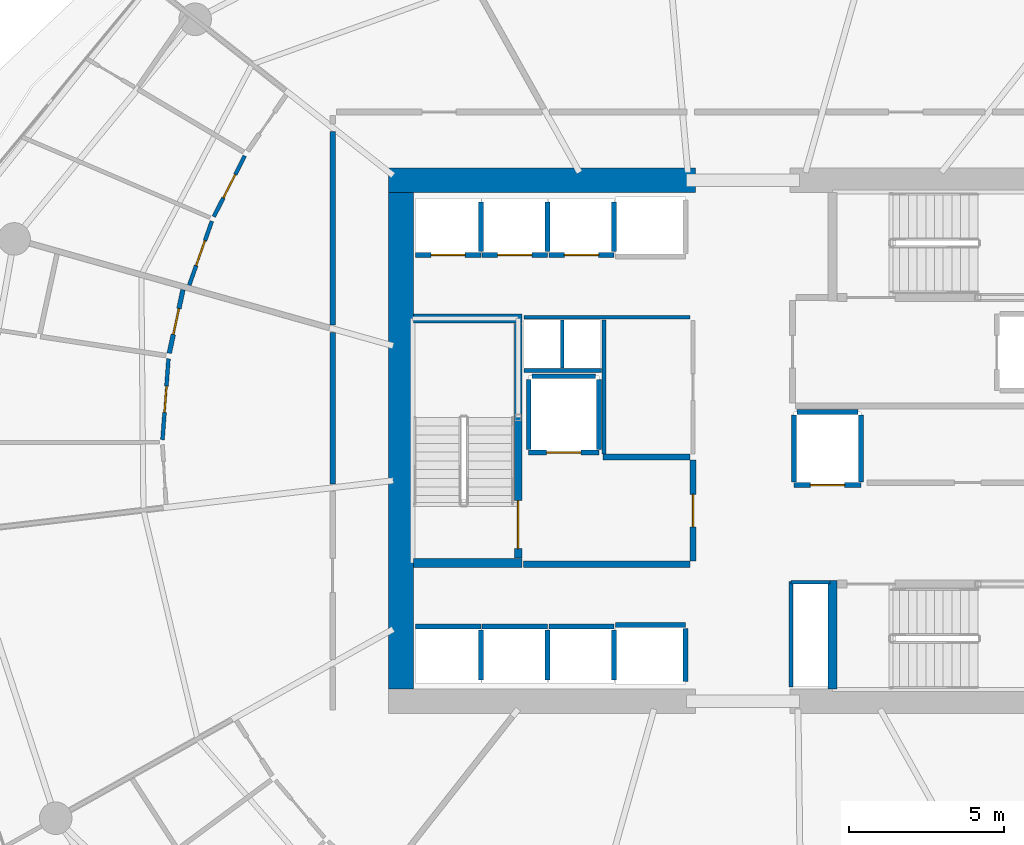
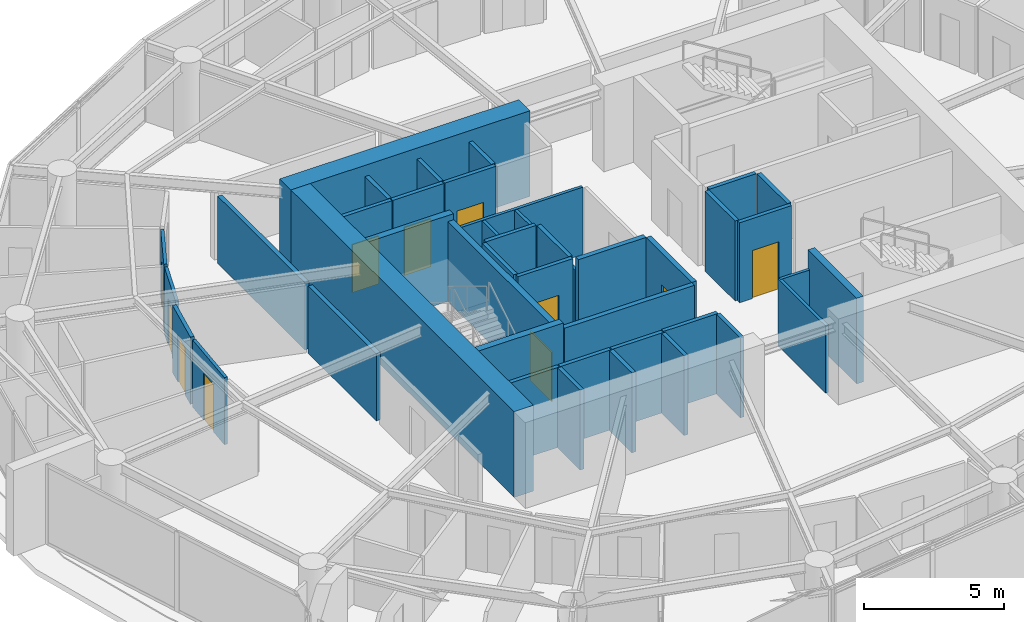
# One storey, part 13 of 17: 43 walls, 11 doors, 11 openings.
"""IFC4 building model written with IfcOpenShell, lengths in metres."""

from ifc_helpers import new_model, si_unit, direction, frame, frame_2d, origin, place, context, subcontext, project, spatial, rectangle, extrude, material, layer, layer_set, type_object, element, fill, save


model = new_model("IFC4")

# Units and contexts
model_context = context("Model", 3, precision=1e-05, world=origin(), true_north=direction((0.0, 1.0)))
body_context = subcontext(model_context, "Body", "Model", "MODEL_VIEW")
ifc_project = project(units=[si_unit("LENGTHUNIT", "METRE"), si_unit("AREAUNIT", "SQUARE_METRE"), si_unit("VOLUMEUNIT", "CUBIC_METRE"), si_unit("PLANEANGLEUNIT", "RADIAN"), si_unit("MASSUNIT", "GRAM", prefix="KILO")], contexts=[model_context])

# Site, building, storey
site_placement = place(None, origin())
site = spatial("IfcSite", under=ifc_project, at=site_placement, CompositionType="ELEMENT")
building_placement = place(site_placement, origin())
building = spatial("IfcBuilding", under=site, at=building_placement, Name="Kazma Halo Residences", CompositionType="ELEMENT")
storey_placement = place(building_placement, frame((0.0, 0.0, 127.800048828125)))
storey = spatial("IfcBuildingStorey", under=building, at=storey_placement, Name="L31", CompositionType="ELEMENT", Elevation=127.800048828125)

# Walls
ifc_material_1 = material(Name="Concrete C80/95", Category="concrete")
ifc_layer_1 = layer(ifc_material_1, 0.800048828125)
ifc_layer_set_1 = layer_set([ifc_layer_1], Name="Concrete C80/95")
wall_type_1 = type_object("IfcWallType", Name="WL-CORE-800", PredefinedType="SHEAR", material=ifc_layer_set_1)
wall_1_placement = place(storey_placement, frame((37.0, 50.39990234375, 0.0), z_axis=(0.0, 0.0, 1.0), x_axis=(1.0, 0.0, 0.0)))
element("IfcWall", 1, at=wall_1_placement, inside=storey, type_object=wall_type_1, Name="L31 central core shear wall NW", PredefinedType="SHEAR", context=body_context, shape_type="SweptSolid", body=[
    extrude(rectangle(XDim=9.89990234375, YDim=0.800048828125, at=frame_2d((4.949951171875, 0.0))), origin(), (0.0, 0.0, 1.0), 3.75),
])
wall_2_placement = place(storey_placement, frame((37.39990234375, 34.0, 0.0), z_axis=(0.0, 0.0, 1.0), x_axis=(0.0, 1.0, 0.0)))
element("IfcWall", 2, at=wall_2_placement, inside=storey, type_object=wall_type_1, Name="L31 central core shear wall W", PredefinedType="SHEAR", context=body_context, shape_type="SweptSolid", body=[
    extrude(rectangle(XDim=16.0, YDim=0.800048828125, at=frame_2d((8.0, 0.0))), origin(), (0.0, 0.0, 1.0), 3.75),
])
ifc_material_2 = material(Name="Concrete C60/75", Category="concrete")
ifc_layer_2 = layer(ifc_material_2, 0.280029296875)
ifc_layer_set_2 = layer_set([ifc_layer_2], Name="Concrete C60/75")
wall_type_2 = type_object("IfcWallType", Name="WL-CORE-ST-280", PredefinedType="SHEAR", material=ifc_layer_set_2)
for number, where, z_axis, x_axis, name in (
    (3, (37.800048828125, 38.06005859375, 0.0), (0.0, 0.0, 1.0), (1.0, 0.0, 0.0), "L31 stairwell bearing wall ST01-S"),
    (4, (37.800048828125, 45.93994140625, 0.0), (0.0, 0.0, 1.0), (1.0, 0.0, 0.0), "L31 stairwell bearing wall ST01-N"),
    (5, (51.31005859375, 34.0, 0.0), (0.0, 0.0, 1.0), (0.0, 1.0, 0.0), "L31 stairwell bearing wall ST03-W"),
):
    element("IfcWall", number, at=place(storey_placement, frame(where, z_axis=z_axis, x_axis=x_axis)), inside=storey, type_object=wall_type_2, Name=name, PredefinedType="SHEAR", context=body_context, shape_type="SweptSolid", body=[
        extrude(rectangle(XDim=3.5, YDim=0.280029296875, at=frame_2d((1.75, 0.0))), origin(), (0.0, 0.0, 1.0), 3.75),
    ])
ifc_material_3 = material(Name="Acoustic Twin-Stud Gypsum")
ifc_layer_3 = layer(ifc_material_3, 0.179931640625)
ifc_layer_set_3 = layer_set([ifc_layer_3], Name="Acoustic Twin-Stud Gypsum")
wall_type_3 = type_object("IfcWallType", Name="WL-DEM-180", PredefinedType="PARTITIONING", material=ifc_layer_set_3)
wall_3_placement = place(storey_placement, frame((35.199951171875, 51.970703125, 0.0), z_axis=(0.0, 0.0, 1.0), x_axis=(0.0, -1.0, 0.0)))
element("IfcWall", 6, at=wall_3_placement, inside=storey, type_object=wall_type_3, Name="L31 Apartment 1 inner wall 5", PredefinedType="PARTITIONING", context=body_context, shape_type="SweptSolid", body=[
    extrude(rectangle(XDim=6.24072265625, YDim=0.179931640625, at=frame_2d((3.120361328125, 0.0))), origin(), (0.0, 0.0, 1.0), 2.93994140625),
])
wall_4_placement = place(storey_placement, frame((35.199951171875, 45.489990234375, 0.0), z_axis=(0.0, 0.0, 1.0), x_axis=(0.0, -1.0, 0.0)))
element("IfcWall", 7, at=wall_4_placement, inside=storey, type_object=wall_type_3, Name="L31 Apartment 2 inner wall 6", PredefinedType="PARTITIONING", context=body_context, shape_type="SweptSolid", body=[
    extrude(rectangle(XDim=4.885009765625, YDim=0.179931640625, at=frame_2d((2.4423828125, 0.0))), origin(), (0.0, 0.0, 1.0), 2.93994140625),
])
ifc_material_4 = material(Name="Fire-Rated Blockwork Masonry", Category="masonry")
ifc_layer_4 = layer(ifc_material_4, 0.199951171875)
ifc_layer_set_4 = layer_set([ifc_layer_4], Name="Fire-Rated Blockwork Masonry")
wall_type_4 = type_object("IfcWallType", Name="WL-FLB-200", PredefinedType="PARTITIONING", material=ifc_layer_set_4)
wall_5_placement = place(storey_placement, frame((37.864990234375, 36.0048828125, 0.0), z_axis=(0.0, 0.0, 1.0), x_axis=(1.0, 0.0, 0.0)))
element("IfcWall", 8, at=wall_5_placement, inside=storey, type_object=wall_type_4, Name="L31 lift shaft PL-01 front wall", PredefinedType="PARTITIONING", context=body_context, shape_type="SweptSolid", body=[
    extrude(rectangle(XDim=2.110107421875, YDim=0.159912109375, at=frame_2d((1.05517578125, 0.0))), origin(), (0.0, 0.0, 1.0), 3.5),
])
wall_6_placement = place(storey_placement, frame((39.97509765625, 34.294921875, 0.0), z_axis=(0.0, 0.0, 1.0), x_axis=(0.0, 1.0, 0.0)))
element("IfcWall", 9, at=wall_6_placement, inside=storey, type_object=wall_type_4, Name="L31 lift shaft PL-01 side wall E", PredefinedType="PARTITIONING", context=body_context, shape_type="SweptSolid", body=[
    extrude(rectangle(XDim=1.610107421875, YDim=0.159912109375, at=frame_2d((0.80517578125, 0.0))), origin(), (0.0, 0.0, 1.0), 3.5),
])
wall_7_placement = place(storey_placement, frame((40.014892578125, 36.0048828125, 0.0), z_axis=(0.0, 0.0, 1.0), x_axis=(1.0, 0.0, 0.0)))
element("IfcWall", 10, at=wall_7_placement, inside=storey, type_object=wall_type_4, Name="L31 lift shaft PL-02 front wall", PredefinedType="PARTITIONING", context=body_context, shape_type="SweptSolid", body=[
    extrude(rectangle(XDim=2.110107421875, YDim=0.159912109375, at=frame_2d((1.05517578125, 0.0))), origin(), (0.0, 0.0, 1.0), 3.5),
])
wall_8_placement = place(storey_placement, frame((42.125, 34.294921875, 0.0), z_axis=(0.0, 0.0, 1.0), x_axis=(0.0, 1.0, 0.0)))
element("IfcWall", 11, at=wall_8_placement, inside=storey, type_object=wall_type_4, Name="L31 lift shaft PL-02 side wall E", PredefinedType="PARTITIONING", context=body_context, shape_type="SweptSolid", body=[
    extrude(rectangle(XDim=1.610107421875, YDim=0.159912109375, at=frame_2d((0.80517578125, 0.0))), origin(), (0.0, 0.0, 1.0), 3.5),
])
wall_9_placement = place(storey_placement, frame((42.1650390625, 36.0048828125, 0.0), z_axis=(0.0, 0.0, 1.0), x_axis=(1.0, 0.0, 0.0)))
element("IfcWall", 12, at=wall_9_placement, inside=storey, type_object=wall_type_4, Name="L31 lift shaft PL-03 front wall", PredefinedType="PARTITIONING", context=body_context, shape_type="SweptSolid", body=[
    extrude(rectangle(XDim=2.10986328125, YDim=0.159912109375, at=frame_2d((1.054931640625, 0.0))), origin(), (0.0, 0.0, 1.0), 3.5),
])
wall_10_placement = place(storey_placement, frame((44.27490234375, 34.294921875, 0.0), z_axis=(0.0, 0.0, 1.0), x_axis=(0.0, 1.0, 0.0)))
element("IfcWall", 13, at=wall_10_placement, inside=storey, type_object=wall_type_4, Name="L31 lift shaft PL-03 side wall E", PredefinedType="PARTITIONING", context=body_context, shape_type="SweptSolid", body=[
    extrude(rectangle(XDim=1.610107421875, YDim=0.159912109375, at=frame_2d((0.80517578125, 0.0))), origin(), (0.0, 0.0, 1.0), 3.5),
])

# Wall, opening, door
wall_11_placement = place(storey_placement, frame((39.97509765625, 47.9951171875, 0.0), z_axis=(0.0, 0.0, 1.0), x_axis=(-1.0, 0.0, 0.0)))
wall_11 = element("IfcWall", 14, at=wall_11_placement, inside=storey, type_object=wall_type_4, Name="L31 lift shaft PM-01 front wall", PredefinedType="PARTITIONING", context=body_context, shape_type="SweptSolid", body=[
    extrude(rectangle(XDim=2.110107421875, YDim=0.159912109375, at=frame_2d((1.05517578125, 0.0))), origin(), (0.0, 0.0, 1.0), 3.5),
])
opening_1_placement = place(wall_11_placement, frame((0.5048828125, 0.0, 0.0)))
opening_1 = element("IfcOpeningElement", 15, at=opening_1_placement, cuts=wall_11, Name="Opening LD-PM-01", PredefinedType="OPENING", context=body_context, shape_type="SweptSolid", body=[
    extrude(rectangle(XDim=1.10009765625, YDim=2.10009765625, at=frame_2d((0.550048828125, 1.050048828125))), frame((0.0, 0.08984375, 0.0), z_axis=(0.0, -1.0, 0.0), x_axis=(1.0, 0.0, 0.0)), (0.0, 0.0, 1.0), 0.179931640625),
])
ifc_material_5 = material(Name="Stainless Steel Fire-Rated", Category="steel")
door_type_1 = type_object("IfcDoorType", Name="DR-LIFT-SLD-1100", OperationType="DOUBLE_DOOR_SLIDING", PredefinedType="DOOR", material=ifc_material_5)
door_1_placement = place(opening_1_placement, origin())
door_1 = element("IfcDoor", 16, at=door_1_placement, inside=storey, type_object=door_type_1, Name="L31 lift PM-01 sliding landing door", OperationType="DOUBLE_DOOR_SLIDING", OverallHeight=2.10009765625, OverallWidth=1.10009765625, PredefinedType="DOOR", context=body_context, shape_type="SweptSolid", body=[
    extrude(rectangle(XDim=1.10009765625, YDim=2.10009765625, at=frame_2d((0.550048828125, 1.050048828125))), frame((0.0, 0.02490234375, 0.0), z_axis=(0.0, -1.0, 0.0), x_axis=(1.0, 0.0, 0.0)), (0.0, 0.0, 1.0), 0.050048828125),
])
fill(opening_1, door_1)

# Wall
wall_12_placement = place(storey_placement, frame((39.97509765625, 48.094970703125, 0.0), z_axis=(0.0, 0.0, 1.0), x_axis=(0.0, 1.0, 0.0)))
element("IfcWall", 17, at=wall_12_placement, inside=storey, type_object=wall_type_4, Name="L31 lift shaft PM-01 side wall E", PredefinedType="PARTITIONING", context=body_context, shape_type="SweptSolid", body=[
    extrude(rectangle(XDim=1.610107421875, YDim=0.159912109375, at=frame_2d((0.80517578125, 0.0))), origin(), (0.0, 0.0, 1.0), 3.5),
])

# Wall, opening, door
wall_13_placement = place(storey_placement, frame((42.125, 47.9951171875, 0.0), z_axis=(0.0, 0.0, 1.0), x_axis=(-1.0, 0.0, 0.0)))
wall_13 = element("IfcWall", 18, at=wall_13_placement, inside=storey, type_object=wall_type_4, Name="L31 lift shaft PM-02 front wall", PredefinedType="PARTITIONING", context=body_context, shape_type="SweptSolid", body=[
    extrude(rectangle(XDim=2.110107421875, YDim=0.159912109375, at=frame_2d((1.05517578125, 0.0))), origin(), (0.0, 0.0, 1.0), 3.5),
])
opening_2_placement = place(wall_13_placement, frame((0.5048828125, 0.0, 0.0)))
opening_2 = element("IfcOpeningElement", 19, at=opening_2_placement, cuts=wall_13, Name="Opening LD-PM-02", PredefinedType="OPENING", context=body_context, shape_type="SweptSolid", body=[
    extrude(rectangle(XDim=1.10009765625, YDim=2.10009765625, at=frame_2d((0.550048828125, 1.050048828125))), frame((0.0, 0.08984375, 0.0), z_axis=(0.0, -1.0, 0.0), x_axis=(1.0, 0.0, 0.0)), (0.0, 0.0, 1.0), 0.179931640625),
])
door_2_placement = place(opening_2_placement, origin())
door_2 = element("IfcDoor", 20, at=door_2_placement, inside=storey, type_object=door_type_1, Name="L31 lift PM-02 sliding landing door", OperationType="DOUBLE_DOOR_SLIDING", OverallHeight=2.10009765625, OverallWidth=1.10009765625, PredefinedType="DOOR", context=body_context, shape_type="SweptSolid", body=[
    extrude(rectangle(XDim=1.10009765625, YDim=2.10009765625, at=frame_2d((0.550048828125, 1.050048828125))), frame((0.0, 0.02490234375, 0.0), z_axis=(0.0, -1.0, 0.0), x_axis=(1.0, 0.0, 0.0)), (0.0, 0.0, 1.0), 0.050048828125),
])
fill(opening_2, door_2)

# Wall
wall_14_placement = place(storey_placement, frame((42.125, 48.094970703125, 0.0), z_axis=(0.0, 0.0, 1.0), x_axis=(0.0, 1.0, 0.0)))
element("IfcWall", 21, at=wall_14_placement, inside=storey, type_object=wall_type_4, Name="L31 lift shaft PM-02 side wall E", PredefinedType="PARTITIONING", context=body_context, shape_type="SweptSolid", body=[
    extrude(rectangle(XDim=1.610107421875, YDim=0.159912109375, at=frame_2d((0.80517578125, 0.0))), origin(), (0.0, 0.0, 1.0), 3.5),
])

# Wall, opening, door
wall_15_placement = place(storey_placement, frame((44.27490234375, 47.9951171875, 0.0), z_axis=(0.0, 0.0, 1.0), x_axis=(-1.0, 0.0, 0.0)))
wall_15 = element("IfcWall", 22, at=wall_15_placement, inside=storey, type_object=wall_type_4, Name="L31 lift shaft PM-03 front wall", PredefinedType="PARTITIONING", context=body_context, shape_type="SweptSolid", body=[
    extrude(rectangle(XDim=2.10986328125, YDim=0.159912109375, at=frame_2d((1.054931640625, 0.0))), origin(), (0.0, 0.0, 1.0), 3.5),
])
opening_3_placement = place(wall_15_placement, frame((0.5048828125, 0.0, 0.0)))
opening_3 = element("IfcOpeningElement", 23, at=opening_3_placement, cuts=wall_15, Name="Opening LD-PM-03", PredefinedType="OPENING", context=body_context, shape_type="SweptSolid", body=[
    extrude(rectangle(XDim=1.10009765625, YDim=2.10009765625, at=frame_2d((0.550048828125, 1.050048828125))), frame((0.0, 0.08984375, 0.0), z_axis=(0.0, -1.0, 0.0), x_axis=(1.0, 0.0, 0.0)), (0.0, 0.0, 1.0), 0.179931640625),
])
door_3_placement = place(opening_3_placement, origin())
door_3 = element("IfcDoor", 24, at=door_3_placement, inside=storey, type_object=door_type_1, Name="L31 lift PM-03 sliding landing door", OperationType="DOUBLE_DOOR_SLIDING", OverallHeight=2.10009765625, OverallWidth=1.10009765625, PredefinedType="DOOR", context=body_context, shape_type="SweptSolid", body=[
    extrude(rectangle(XDim=1.10009765625, YDim=2.10009765625, at=frame_2d((0.550048828125, 1.050048828125))), frame((0.0, 0.02490234375, 0.0), z_axis=(0.0, -1.0, 0.0), x_axis=(1.0, 0.0, 0.0)), (0.0, 0.0, 1.0), 0.050048828125),
])
fill(opening_3, door_3)

# Walls
wall_16_placement = place(storey_placement, frame((44.27490234375, 48.094970703125, 0.0), z_axis=(0.0, 0.0, 1.0), x_axis=(0.0, 1.0, 0.0)))
element("IfcWall", 25, at=wall_16_placement, inside=storey, type_object=wall_type_4, Name="L31 lift shaft PM-03 side wall E", PredefinedType="PARTITIONING", context=body_context, shape_type="SweptSolid", body=[
    extrude(rectangle(XDim=1.610107421875, YDim=0.159912109375, at=frame_2d((0.80517578125, 0.0))), origin(), (0.0, 0.0, 1.0), 3.5),
])
wall_17_placement = place(storey_placement, frame((44.320068359375, 36.054931640625, 0.0), z_axis=(0.0, 0.0, 1.0), x_axis=(1.0, 0.0, 0.0)))
element("IfcWall", 26, at=wall_17_placement, inside=storey, type_object=wall_type_4, Name="L31 lift shaft PX-02 front wall", PredefinedType="PARTITIONING", context=body_context, shape_type="SweptSolid", body=[
    extrude(rectangle(XDim=2.260009765625, YDim=0.159912109375, at=frame_2d((1.1298828125, 0.0))), origin(), (0.0, 0.0, 1.0), 3.5),
])
wall_18_placement = place(storey_placement, frame((46.580078125, 34.2451171875, 0.0), z_axis=(0.0, 0.0, 1.0), x_axis=(0.0, 1.0, 0.0)))
element("IfcWall", 27, at=wall_18_placement, inside=storey, type_object=wall_type_4, Name="L31 lift shaft PX-02 side wall E", PredefinedType="PARTITIONING", context=body_context, shape_type="SweptSolid", body=[
    extrude(rectangle(XDim=1.7099609375, YDim=0.159912109375, at=frame_2d((0.85498046875, 0.0))), origin(), (0.0, 0.0, 1.0), 3.5),
])

# Wall, opening, door
wall_19_placement = place(storey_placement, frame((43.780029296875, 41.6201171875, 0.0), z_axis=(0.0, 0.0, 1.0), x_axis=(-1.0, 0.0, 0.0)))
wall_19 = element("IfcWall", 28, at=wall_19_placement, inside=storey, type_object=wall_type_4, Name="L31 lift shaft FL-01 front wall", PredefinedType="PARTITIONING", context=body_context, shape_type="SweptSolid", body=[
    extrude(rectangle(XDim=2.260009765625, YDim=0.159912109375, at=frame_2d((1.1298828125, 0.0))), origin(), (0.0, 0.0, 1.0), 3.5),
])
opening_4_placement = place(wall_19_placement, frame((0.580078125, 0.0, 0.0)))
opening_4 = element("IfcOpeningElement", 29, at=opening_4_placement, cuts=wall_19, Name="Opening LD-FL-01", PredefinedType="OPENING", context=body_context, shape_type="SweptSolid", body=[
    extrude(rectangle(XDim=1.10009765625, YDim=2.10009765625, at=frame_2d((0.550048828125, 1.050048828125))), frame((0.0, 0.08984375, 0.0), z_axis=(0.0, -1.0, 0.0), x_axis=(1.0, 0.0, 0.0)), (0.0, 0.0, 1.0), 0.179931640625),
])
door_4_placement = place(opening_4_placement, origin())
door_4 = element("IfcDoor", 30, at=door_4_placement, inside=storey, type_object=door_type_1, Name="L31 lift FL-01 sliding landing door", OperationType="DOUBLE_DOOR_SLIDING", OverallHeight=2.10009765625, OverallWidth=1.10009765625, PredefinedType="DOOR", context=body_context, shape_type="SweptSolid", body=[
    extrude(rectangle(XDim=1.10009765625, YDim=2.10009765625, at=frame_2d((0.550048828125, 1.050048828125))), frame((0.0, 0.02490234375, 0.0), z_axis=(0.0, -1.0, 0.0), x_axis=(1.0, 0.0, 0.0)), (0.0, 0.0, 1.0), 0.050048828125),
])
fill(opening_4, door_4)

# Walls
for number, where, z_axis, x_axis, name in (
    (31, (43.780029296875, 41.719970703125, 0.0), (0.0, 0.0, 1.0), (0.0, 1.0, 0.0), "L31 lift shaft FL-01 side wall E"),
    (32, (41.52001953125, 41.719970703125, 0.0), (0.0, 0.0, 1.0), (0.0, 1.0, 0.0), "L31 lift shaft FL-01 side wall W"),
):
    element("IfcWall", number, at=place(storey_placement, frame(where, z_axis=z_axis, x_axis=x_axis)), inside=storey, type_object=wall_type_4, Name=name, PredefinedType="PARTITIONING", context=body_context, shape_type="SweptSolid", body=[
        extrude(rectangle(XDim=2.260009765625, YDim=0.159912109375, at=frame_2d((1.1298828125, 0.0))), origin(), (0.0, 0.0, 1.0), 3.5),
    ])
wall_20_placement = place(storey_placement, frame((41.6201171875, 44.080078125, 0.0), z_axis=(0.0, 0.0, 1.0), x_axis=(1.0, 0.0, 0.0)))
element("IfcWall", 33, at=wall_20_placement, inside=storey, type_object=wall_type_4, Name="L31 lift shaft FL-01 side wall N", PredefinedType="PARTITIONING", context=body_context, shape_type="SweptSolid", body=[
    extrude(rectangle(XDim=2.059814453125, YDim=0.159912109375, at=frame_2d((1.02978515625, 0.0))), origin(), (0.0, 0.0, 1.0), 3.5),
])

# Wall, opening, door
wall_21_placement = place(storey_placement, frame((52.22998046875, 40.570068359375, 0.0), z_axis=(0.0, 0.0, 1.0), x_axis=(-1.0, 0.0, 0.0)))
wall_21 = element("IfcWall", 34, at=wall_21_placement, inside=storey, type_object=wall_type_4, Name="L31 lift shaft SV-01 front wall", PredefinedType="PARTITIONING", context=body_context, shape_type="SweptSolid", body=[
    extrude(rectangle(XDim=2.159912109375, YDim=0.159912109375, at=frame_2d((1.080078125, 0.0))), origin(), (0.0, 0.0, 1.0), 3.5),
])
opening_5_placement = place(wall_21_placement, frame((0.530029296875, 0.0, 0.0)))
opening_5 = element("IfcOpeningElement", 35, at=opening_5_placement, cuts=wall_21, Name="Opening LD-SV-01", PredefinedType="OPENING", context=body_context, shape_type="SweptSolid", body=[
    extrude(rectangle(XDim=1.10009765625, YDim=2.10009765625, at=frame_2d((0.550048828125, 1.050048828125))), frame((0.0, 0.08984375, 0.0), z_axis=(0.0, -1.0, 0.0), x_axis=(1.0, 0.0, 0.0)), (0.0, 0.0, 1.0), 0.179931640625),
])
door_5_placement = place(opening_5_placement, origin())
door_5 = element("IfcDoor", 36, at=door_5_placement, inside=storey, type_object=door_type_1, Name="L31 lift SV-01 sliding landing door", OperationType="DOUBLE_DOOR_SLIDING", OverallHeight=2.10009765625, OverallWidth=1.10009765625, PredefinedType="DOOR", context=body_context, shape_type="SweptSolid", body=[
    extrude(rectangle(XDim=1.10009765625, YDim=2.10009765625, at=frame_2d((0.550048828125, 1.050048828125))), frame((0.0, 0.02490234375, 0.0), z_axis=(0.0, -1.0, 0.0), x_axis=(1.0, 0.0, 0.0)), (0.0, 0.0, 1.0), 0.050048828125),
])
fill(opening_5, door_5)

# Walls
for number, where, z_axis, x_axis, name in (
    (37, (52.22998046875, 40.669921875, 0.0), (0.0, 0.0, 1.0), (0.0, 1.0, 0.0), "L31 lift shaft SV-01 side wall E"),
    (38, (50.070068359375, 40.669921875, 0.0), (0.0, 0.0, 1.0), (0.0, 1.0, 0.0), "L31 lift shaft SV-01 side wall W"),
):
    element("IfcWall", number, at=place(storey_placement, frame(where, z_axis=z_axis, x_axis=x_axis)), inside=storey, type_object=wall_type_4, Name=name, PredefinedType="PARTITIONING", context=body_context, shape_type="SweptSolid", body=[
        extrude(rectangle(XDim=2.16015625, YDim=0.159912109375, at=frame_2d((1.080078125, 0.0))), origin(), (0.0, 0.0, 1.0), 3.5),
    ])
wall_22_placement = place(storey_placement, frame((50.169921875, 42.929931640625, 0.0), z_axis=(0.0, 0.0, 1.0), x_axis=(1.0, 0.0, 0.0)))
element("IfcWall", 39, at=wall_22_placement, inside=storey, type_object=wall_type_4, Name="L31 lift shaft SV-01 side wall N", PredefinedType="PARTITIONING", context=body_context, shape_type="SweptSolid", body=[
    extrude(rectangle(XDim=1.9599609375, YDim=0.159912109375, at=frame_2d((0.97998046875, 0.0))), origin(), (0.0, 0.0, 1.0), 3.5),
])
wall_23_placement = place(storey_placement, frame((41.35009765625, 38.02001953125, 0.0), z_axis=(0.0, 0.0, 1.0), x_axis=(1.0, 0.0, 0.0)))
element("IfcWall", 40, at=wall_23_placement, inside=storey, type_object=wall_type_4, Name="L31 west firefighting lobby south smoke wall", PredefinedType="PARTITIONING", context=body_context, shape_type="SweptSolid", body=[
    extrude(rectangle(XDim=5.369873046875, YDim=0.199951171875, at=frame_2d((2.68505859375, 0.0))), origin(), (0.0, 0.0, 1.0), 3.5),
])
wall_24_placement = place(storey_placement, frame((43.919921875, 41.47998046875, 0.0), z_axis=(0.0, 0.0, 1.0), x_axis=(1.0, 0.0, 0.0)))
element("IfcWall", 41, at=wall_24_placement, inside=storey, type_object=wall_type_4, Name="L31 west firefighting lobby north smoke wall", PredefinedType="PARTITIONING", context=body_context, shape_type="SweptSolid", body=[
    extrude(rectangle(XDim=2.800048828125, YDim=0.199951171875, at=frame_2d((1.39990234375, 0.0))), origin(), (0.0, 0.0, 1.0), 3.5),
])

# Wall, opening, door
wall_25_placement = place(storey_placement, frame((46.820068359375, 38.1201171875, 0.0), z_axis=(0.0, 0.0, 1.0), x_axis=(0.0, 1.0, 0.0)))
wall_25 = element("IfcWall", 42, at=wall_25_placement, inside=storey, type_object=wall_type_4, Name="L31 west firefighting lobby smoke wall", PredefinedType="PARTITIONING", context=body_context, shape_type="SweptSolid", body=[
    extrude(rectangle(XDim=3.259765625, YDim=0.199951171875, at=frame_2d((1.6298828125, 0.0))), origin(), (0.0, 0.0, 1.0), 3.5),
])
opening_6_placement = place(wall_25_placement, frame((1.10498046875, 0.0, 0.0)))
opening_6 = element("IfcOpeningElement", 43, at=opening_6_placement, cuts=wall_25, Name="Opening D-FLW", PredefinedType="OPENING", context=body_context, shape_type="SweptSolid", body=[
    extrude(rectangle(XDim=1.050048828125, YDim=2.10009765625, at=frame_2d((0.52490234375, 1.050048828125))), frame((0.0, 0.10986328125, 0.0), z_axis=(0.0, -1.0, 0.0), x_axis=(1.0, 0.0, 0.0)), (0.0, 0.0, 1.0), 0.219970703125),
])
ifc_material_6 = material(Name="Fire-Rated Steel Leaf", Category="steel")
door_type_2 = type_object("IfcDoorType", Name="DR-FD90-1050", OperationType="NOTDEFINED", PredefinedType="DOOR", material=ifc_material_6)
door_6_placement = place(opening_6_placement, origin())
door_6 = element("IfcDoor", 44, at=door_6_placement, inside=storey, type_object=door_type_2, Name="L31 west firefighting lobby smoke door", OperationType="SINGLE_SWING_RIGHT", OverallHeight=2.10009765625, OverallWidth=1.050048828125, PredefinedType="DOOR", context=body_context, shape_type="SweptSolid", body=[
    extrude(rectangle(XDim=1.050048828125, YDim=2.10009765625, at=frame_2d((0.52490234375, 1.050048828125))), frame((0.0, 0.02490234375, 0.0), z_axis=(0.0, -1.0, 0.0), x_axis=(1.0, 0.0, 0.0)), (0.0, 0.0, 1.0), 0.050048828125),
])
fill(opening_6, door_6)

# Walls
ifc_material_7 = material(Name="Gypsum Plasterboard Partition")
ifc_layer_5 = layer(ifc_material_7, 0.125)
ifc_layer_set_5 = layer_set([ifc_layer_5], Name="Gypsum Plasterboard Partition")
wall_type_5 = type_object("IfcWallType", Name="WL-PART-125", PredefinedType="PARTITIONING", material=ifc_layer_set_5)
wall_26_placement = place(storey_placement, frame((41.360107421875, 45.97998046875, 0.0), z_axis=(0.0, 0.0, 1.0), x_axis=(1.0, 0.0, 0.0)))
element("IfcWall", 45, at=wall_26_placement, inside=storey, type_object=wall_type_5, Name="L31 core north riser wall", PredefinedType="PARTITIONING", context=body_context, shape_type="SweptSolid", body=[
    extrude(rectangle(XDim=5.35986328125, YDim=0.125, at=frame_2d((2.679931640625, 0.0))), origin(), (0.0, 0.0, 1.0), 2.93994140625),
])
wall_27_placement = place(storey_placement, frame((41.360107421875, 44.260009765625, 0.0), z_axis=(0.0, 0.0, 1.0), x_axis=(1.0, 0.0, 0.0)))
element("IfcWall", 46, at=wall_27_placement, inside=storey, type_object=wall_type_5, Name="L31 core riser south wall", PredefinedType="PARTITIONING", context=body_context, shape_type="SweptSolid", body=[
    extrude(rectangle(XDim=2.5, YDim=0.125, at=frame_2d((1.25, 0.0))), origin(), (0.0, 0.0, 1.0), 2.93994140625),
])
wall_28_placement = place(storey_placement, frame((42.60009765625, 44.35009765625, 0.0), z_axis=(0.0, 0.0, 1.0), x_axis=(0.0, 1.0, 0.0)))
element("IfcWall", 47, at=wall_28_placement, inside=storey, type_object=wall_type_5, Name="L31 core riser divider wall", PredefinedType="PARTITIONING", context=body_context, shape_type="SweptSolid", body=[
    extrude(rectangle(XDim=1.5498046875, YDim=0.125, at=frame_2d((0.77490234375, 0.0))), origin(), (0.0, 0.0, 1.0), 2.93994140625),
])
wall_29_placement = place(storey_placement, frame((49.97998046875, 34.06005859375, 0.0), z_axis=(0.0, 0.0, 1.0), x_axis=(0.0, 1.0, 0.0)))
element("IfcWall", 48, at=wall_29_placement, inside=storey, type_object=wall_type_5, Name="L31 standpipe riser wall", PredefinedType="PARTITIONING", context=body_context, shape_type="SweptSolid", body=[
    extrude(rectangle(XDim=3.39990234375, YDim=0.125, at=frame_2d((1.699951171875, 0.0))), origin(), (0.0, 0.0, 1.0), 2.93994140625),
])
wall_30_placement = place(storey_placement, frame((49.97998046875, 37.43994140625, 0.0), z_axis=(0.0, 0.0, 1.0), x_axis=(1.0, 0.0, 0.0)))
element("IfcWall", 49, at=wall_30_placement, inside=storey, type_object=wall_type_5, Name="L31 standpipe riser north wall", PredefinedType="PARTITIONING", context=body_context, shape_type="SweptSolid", body=[
    extrude(rectangle(XDim=1.260009765625, YDim=0.125, at=frame_2d((0.6298828125, 0.0))), origin(), (0.0, 0.0, 1.0), 2.93994140625),
])
wall_31_placement = place(storey_placement, frame((43.949951171875, 41.580078125, 0.0), z_axis=(0.0, 0.0, 1.0), x_axis=(0.0, 1.0, 0.0)))
element("IfcWall", 50, at=wall_31_placement, inside=storey, type_object=wall_type_5, Name="L31 core service west wall", PredefinedType="PARTITIONING", context=body_context, shape_type="SweptSolid", body=[
    extrude(rectangle(XDim=4.31982421875, YDim=0.125, at=frame_2d((2.159912109375, 0.0))), origin(), (0.0, 0.0, 1.0), 2.93994140625),
])

# Wall, opening, door
wall_32_placement = place(storey_placement, frame((32.364501953125, 51.183837890625, 0.0), z_axis=(0.0, 0.0, 1.0), x_axis=(-0.45364773662, -0.891181087692, 0.0)))
wall_32 = element("IfcWall", 51, at=wall_32_placement, inside=storey, type_object=wall_type_5, Name="L31 Apartment 1 Gourmet Kitchen hall wall", PredefinedType="PARTITIONING", context=body_context, shape_type="SweptSolid", body=[
    extrude(rectangle(XDim=2.19677734375, YDim=0.125, at=frame_2d((1.098388671875, 0.0))), origin(), (0.0, 0.0, 1.0), 2.93994140625),
])
opening_7_placement = place(wall_32_placement, frame((0.67333984375, 0.0, 0.0)))
opening_7 = element("IfcOpeningElement", 52, at=opening_7_placement, cuts=wall_32, Name="Opening DB-900", PredefinedType="OPENING", context=body_context, shape_type="SweptSolid", body=[
    extrude(rectangle(XDim=0.85009765625, YDim=2.06005859375, at=frame_2d((0.425048828125, 1.030029296875))), frame((0.0, 0.072509765625, 0.0), z_axis=(0.0, -1.0, 0.0), x_axis=(1.0, 0.0, 0.0)), (0.0, 0.0, 1.0), 0.14501953125),
])
ifc_material_8 = material(Name="Moisture-Sealed Timber Leaf", Category="wood")
door_type_3 = type_object("IfcDoorType", Name="DR-BTH-900", OperationType="NOTDEFINED", PredefinedType="DOOR", material=ifc_material_8)
door_7_placement = place(opening_7_placement, origin())
door_7 = element("IfcDoor", 53, at=door_7_placement, inside=storey, type_object=door_type_3, Name="L31 Apartment 1 Gourmet Kitchen door", OperationType="SINGLE_SWING_LEFT", OverallHeight=2.06005859375, OverallWidth=0.85009765625, PredefinedType="DOOR", context=body_context, shape_type="SweptSolid", body=[
    extrude(rectangle(XDim=0.85009765625, YDim=2.06005859375, at=frame_2d((0.425048828125, 1.030029296875))), frame((0.0, 0.02490234375, 0.0), z_axis=(0.0, -1.0, 0.0), x_axis=(1.0, 0.0, 0.0)), (0.0, 0.0, 1.0), 0.050048828125),
])
fill(opening_7, door_7)

wall_33_placement = place(storey_placement, frame((31.304931640625, 49.079345703125, 0.0), z_axis=(0.0, 0.0, 1.0), x_axis=(-0.33362597551, -0.942705525848, 0.0)))
wall_33 = element("IfcWall", 54, at=wall_33_placement, inside=storey, type_object=wall_type_5, Name="L31 Apartment 1 Primary Bedroom hall wall", PredefinedType="PARTITIONING", context=body_context, shape_type="SweptSolid", body=[
    extrude(rectangle(XDim=2.1865234375, YDim=0.125, at=frame_2d((1.09326171875, 0.0))), origin(), (0.0, 0.0, 1.0), 2.93994140625),
])
opening_8_placement = place(wall_33_placement, frame((0.66845703125, 0.0, 0.0)))
opening_8 = element("IfcOpeningElement", 55, at=opening_8_placement, cuts=wall_33, Name="Opening DB-900", PredefinedType="OPENING", context=body_context, shape_type="SweptSolid", body=[
    extrude(rectangle(XDim=0.85009765625, YDim=2.06005859375, at=frame_2d((0.425048828125, 1.030029296875))), frame((0.0, 0.072509765625, 0.0), z_axis=(0.0, -1.0, 0.0), x_axis=(1.0, 0.0, 0.0)), (0.0, 0.0, 1.0), 0.14501953125),
])
door_8_placement = place(opening_8_placement, origin())
door_8 = element("IfcDoor", 56, at=door_8_placement, inside=storey, type_object=door_type_3, Name="L31 Apartment 1 Primary Bedroom door", OperationType="SINGLE_SWING_RIGHT", OverallHeight=2.06005859375, OverallWidth=0.85009765625, PredefinedType="DOOR", context=body_context, shape_type="SweptSolid", body=[
    extrude(rectangle(XDim=0.85009765625, YDim=2.06005859375, at=frame_2d((0.425048828125, 1.030029296875))), frame((0.0, 0.02490234375, 0.0), z_axis=(0.0, -1.0, 0.0), x_axis=(1.0, 0.0, 0.0)), (0.0, 0.0, 1.0), 0.050048828125),
])
fill(opening_8, door_8)

wall_34_placement = place(storey_placement, frame((29.90576171875, 44.64404296875, 0.0), z_axis=(0.0, 0.0, 1.0), x_axis=(-0.073624517856, -0.997286032375, 0.0)))
wall_34 = element("IfcWall", 57, at=wall_34_placement, inside=storey, type_object=wall_type_5, Name="L31 Apartment 2 Gourmet Kitchen hall wall", PredefinedType="PARTITIONING", context=body_context, shape_type="SweptSolid", body=[
    extrude(rectangle(XDim=2.61962890625, YDim=0.125, at=frame_2d((1.309814453125, 0.0))), origin(), (0.0, 0.0, 1.0), 2.93994140625),
])
opening_9_placement = place(wall_34_placement, frame((0.885009765625, 0.0, 0.0)))
opening_9 = element("IfcOpeningElement", 58, at=opening_9_placement, cuts=wall_34, Name="Opening DB-900", PredefinedType="OPENING", context=body_context, shape_type="SweptSolid", body=[
    extrude(rectangle(XDim=0.85009765625, YDim=2.06005859375, at=frame_2d((0.425048828125, 1.030029296875))), frame((0.0, 0.072509765625, 0.0), z_axis=(0.0, -1.0, 0.0), x_axis=(1.0, 0.0, 0.0)), (0.0, 0.0, 1.0), 0.14501953125),
])
door_9_placement = place(opening_9_placement, origin())
door_9 = element("IfcDoor", 59, at=door_9_placement, inside=storey, type_object=door_type_3, Name="L31 Apartment 2 Gourmet Kitchen door", OperationType="SINGLE_SWING_RIGHT", OverallHeight=2.06005859375, OverallWidth=0.85009765625, PredefinedType="DOOR", context=body_context, shape_type="SweptSolid", body=[
    extrude(rectangle(XDim=0.85009765625, YDim=2.06005859375, at=frame_2d((0.425048828125, 1.030029296875))), frame((0.0, 0.02490234375, 0.0), z_axis=(0.0, -1.0, 0.0), x_axis=(1.0, 0.0, 0.0)), (0.0, 0.0, 1.0), 0.050048828125),
])
fill(opening_9, door_9)

ifc_material_9 = material(Name="Concrete C50/60", Category="concrete")
ifc_layer_6 = layer(ifc_material_9, 0.25)
ifc_layer_set_6 = layer_set([ifc_layer_6], Name="Concrete C50/60")
wall_type_6 = type_object("IfcWallType", Name="WL-SHF-250", PredefinedType="SOLIDWALL", material=ifc_layer_set_6)
wall_35_placement = place(storey_placement, frame((41.179931640625, 38.219970703125, 0.0), z_axis=(0.0, 0.0, 1.0), x_axis=(0.0, 1.0, 0.0)))
wall_35 = element("IfcWall", 60, at=wall_35_placement, inside=storey, type_object=wall_type_6, Name="L31 exit stair ST-01 enclosure wall", PredefinedType="SOLIDWALL", context=body_context, shape_type="SweptSolid", body=[
    extrude(rectangle(XDim=7.56005859375, YDim=0.25, at=frame_2d((3.780029296875, 0.0))), origin(), (0.0, 0.0, 1.0), 3.5),
])
opening_10_placement = place(wall_35_placement, frame((0.300048828125, 0.0, 0.0)))
opening_10 = element("IfcOpeningElement", 61, at=opening_10_placement, cuts=wall_35, Name="Opening D-ST1", PredefinedType="OPENING", context=body_context, shape_type="SweptSolid", body=[
    extrude(rectangle(XDim=1.550048828125, YDim=2.14990234375, at=frame_2d((0.77490234375, 1.074951171875))), frame((0.0, 0.135009765625, 0.0), z_axis=(0.0, -1.0, 0.0), x_axis=(1.0, 0.0, 0.0)), (0.0, 0.0, 1.0), 0.27001953125),
])
ifc_material_10 = material(Name="Fire-Rated Double Steel Leaf", Category="steel")
door_type_4 = type_object("IfcDoorType", Name="DR-FD90-1550", OperationType="NOTDEFINED", PredefinedType="DOOR", material=ifc_material_10)
door_10_placement = place(opening_10_placement, origin())
door_10 = element("IfcDoor", 62, at=door_10_placement, inside=storey, type_object=door_type_4, Name="L31 exit stair ST-01 fire door", OperationType="DOUBLE_DOOR_SINGLE_SWING", OverallHeight=2.14990234375, OverallWidth=1.550048828125, PredefinedType="DOOR", context=body_context, shape_type="SweptSolid", body=[
    extrude(rectangle(XDim=1.550048828125, YDim=2.14990234375, at=frame_2d((0.77490234375, 1.074951171875))), frame((0.0, 0.02490234375, 0.0), z_axis=(0.0, -1.0, 0.0), x_axis=(1.0, 0.0, 0.0)), (0.0, 0.0, 1.0), 0.050048828125),
])
fill(opening_10, door_10)

ifc_material_11 = material(Name="Moisture-Resistant Gypsum")
ifc_layer_7 = layer(ifc_material_11, 0.14990234375)
ifc_layer_set_7 = layer_set([ifc_layer_7], Name="Moisture-Resistant Gypsum")
wall_type_7 = type_object("IfcWallType", Name="WL-WET-150", PredefinedType="PARTITIONING", material=ifc_layer_set_7)
wall_36_placement = place(storey_placement, frame((30.372802734375, 46.86767578125, 0.0), z_axis=(0.0, 0.0, 1.0), x_axis=(-0.210923117139, -0.977502654041, 0.0)))
wall_36 = element("IfcWall", 63, at=wall_36_placement, inside=storey, type_object=wall_type_7, Name="L31 Apartment 2 Guest Bathroom hall wall", PredefinedType="PARTITIONING", context=body_context, shape_type="SweptSolid", body=[
    extrude(rectangle(XDim=2.0927734375, YDim=0.14990234375, at=frame_2d((1.04638671875, 0.0))), origin(), (0.0, 0.0, 1.0), 2.93994140625),
])
opening_11_placement = place(wall_36_placement, frame((0.621337890625, 0.0, 0.0)))
opening_11 = element("IfcOpeningElement", 64, at=opening_11_placement, cuts=wall_36, Name="Opening DB-900", PredefinedType="OPENING", context=body_context, shape_type="SweptSolid", body=[
    extrude(rectangle(XDim=0.85009765625, YDim=2.06005859375, at=frame_2d((0.425048828125, 1.030029296875))), frame((0.0, 0.0849609375, 0.0), z_axis=(0.0, -1.0, 0.0), x_axis=(1.0, 0.0, 0.0)), (0.0, 0.0, 1.0), 0.169921875),
])
door_11_placement = place(opening_11_placement, origin())
door_11 = element("IfcDoor", 65, at=door_11_placement, inside=storey, type_object=door_type_3, Name="L31 Apartment 2 Guest Bathroom door", OperationType="SINGLE_SWING_RIGHT", OverallHeight=2.06005859375, OverallWidth=0.85009765625, PredefinedType="DOOR", context=body_context, shape_type="SweptSolid", body=[
    extrude(rectangle(XDim=0.85009765625, YDim=2.06005859375, at=frame_2d((0.425048828125, 1.030029296875))), frame((0.0, 0.02490234375, 0.0), z_axis=(0.0, -1.0, 0.0), x_axis=(1.0, 0.0, 0.0)), (0.0, 0.0, 1.0), 0.050048828125),
])
fill(opening_11, door_11)

save(model, "model.ifc")
